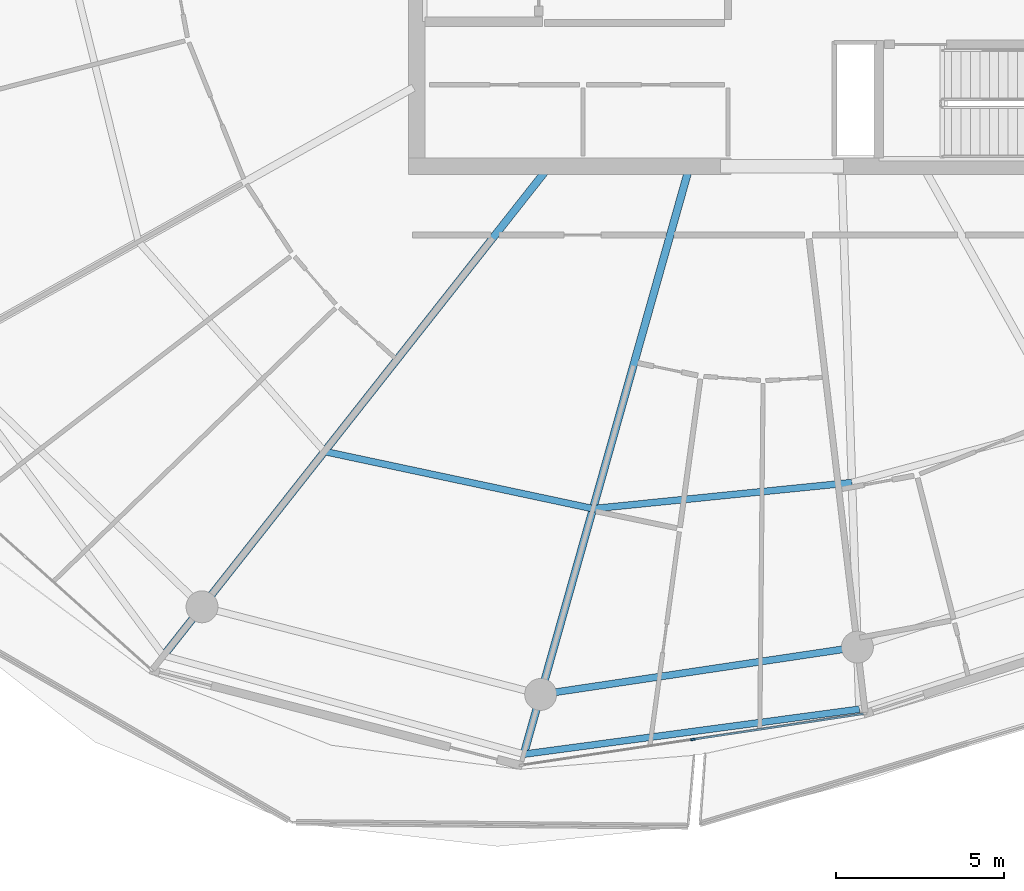
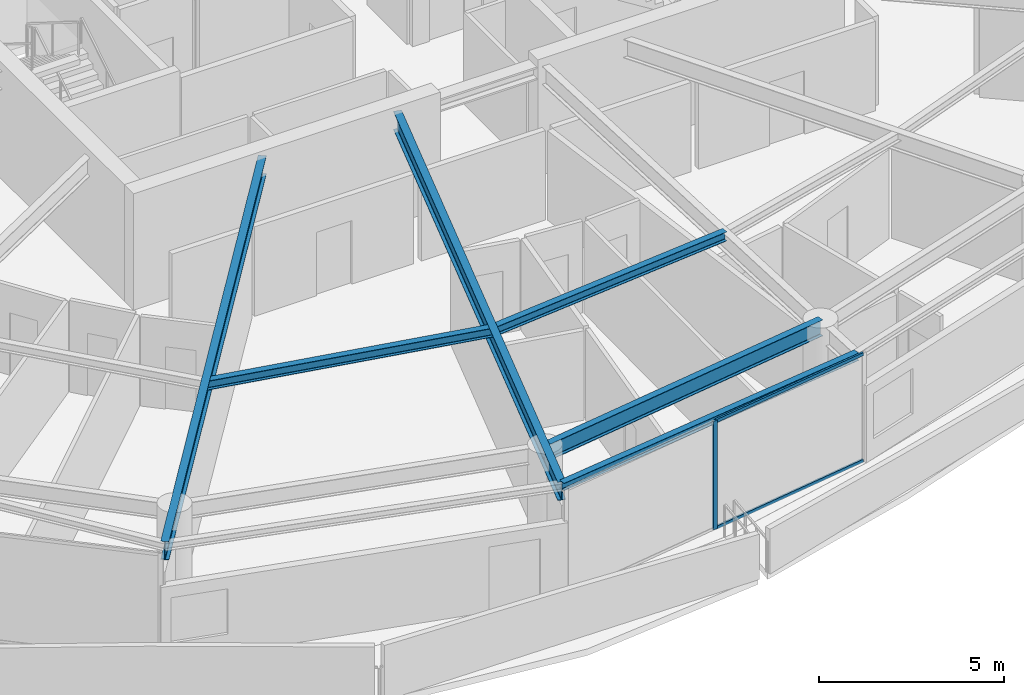
# One storey, part 7 of 31: 6 beams, 3 members, 1 element without a shape of its own.
"""IFC4 building model written with IfcOpenShell, lengths in metres."""

from ifc_helpers import new_model, si_unit, direction, frame, origin, origin_2d, place, context, subcontext, project, spatial, rectangle, i_section, extrude, material, layer, layer_set, material_profile, profile_set, type_object, element, aggregate, save


model = new_model("IFC4")

# Units and contexts
model_context = context("Model", 3, precision=1e-05, world=origin(), true_north=direction((0.0, 1.0)))
body_context = subcontext(model_context, "Body", "Model", "MODEL_VIEW")
ifc_project = project(units=[si_unit("LENGTHUNIT", "METRE"), si_unit("AREAUNIT", "SQUARE_METRE"), si_unit("VOLUMEUNIT", "CUBIC_METRE"), si_unit("PLANEANGLEUNIT", "RADIAN"), si_unit("MASSUNIT", "GRAM", prefix="KILO")], contexts=[model_context])

# Site, building, storey
site_placement = place(None, origin())
site = spatial("IfcSite", under=ifc_project, at=site_placement, CompositionType="ELEMENT")
building_placement = place(site_placement, origin())
building = spatial("IfcBuilding", under=site, at=building_placement, Name="Kazma Halo Residences", CompositionType="ELEMENT")
storey_placement = place(building_placement, frame((0.0, 0.0, 275.199951171875)))
storey = spatial("IfcBuildingStorey", under=building, at=storey_placement, Name="L69", CompositionType="ELEMENT", Elevation=275.199951171875)

# Beams
ifc_material_1 = material(Name="Steel S355", Category="steel")
ifc_material_profile_1 = material_profile(ifc_material_1, i_section(OverallWidth=0.201904296875, OverallDepth=0.2470703125, WebThickness=0.00732421875, FlangeThickness=0.010986328125, FilletRadius=0.011962890625, at=origin_2d()), Name="W250x49.1")
ifc_profile_set_1 = profile_set([ifc_material_profile_1], Name="Steel S355")
beam_type_1 = type_object("IfcBeamType", Name="BM-BAL-CANT", PredefinedType="BEAM", material=ifc_profile_set_1)
beam_1_placement = place(storey_placement, frame((40.73486328125, 16.239990234375, 3.466552734375), z_axis=(0.991136135569, 0.132850144029, 0.0), x_axis=(-0.132850144029, 0.991136135569, 0.0)))
element("IfcBeam", 1, at=beam_1_placement, inside=storey, type_object=beam_type_1, Name="L69 wave-balcony tie beam 11", PredefinedType="BEAM", context=body_context, shape_type="SweptSolid", body=[
    extrude(i_section(OverallWidth=0.201904296875, OverallDepth=0.2470703125, WebThickness=0.00732421875, FlangeThickness=0.010986328125, FilletRadius=0.011962890625, at=origin_2d()), origin(), (0.0, 0.0, 1.0), 10.087158203125),
])
ifc_material_profile_2 = material_profile(ifc_material_1, i_section(OverallWidth=0.22802734375, OverallDepth=0.60791015625, WebThickness=0.01123046875, FlangeThickness=0.017333984375, FilletRadius=0.01806640625, at=origin_2d()), Name="W610x113")
ifc_profile_set_2 = profile_set([ifc_material_profile_2], Name="Steel S355")
beam_type_2 = type_object("IfcBeamType", Name="BM-RAD-W610", PredefinedType="BEAM", material=ifc_profile_set_2)
beam_2_placement = place(storey_placement, frame((41.41748046875, 33.64990234375, 3.2861328125), z_axis=(-0.619094367176, -0.785316601461, 0.0), x_axis=(0.785316601461, -0.619094367176, 0.0)))
element("IfcBeam", 2, at=beam_2_placement, inside=storey, type_object=beam_type_2, Name="L69 radial floor beam 10", PredefinedType="BEAM", context=body_context, shape_type="SweptSolid", body=[
    extrude(i_section(OverallWidth=0.22802734375, OverallDepth=0.60791015625, WebThickness=0.01123046875, FlangeThickness=0.017333984375, FilletRadius=0.01806640625, at=origin_2d()), origin(), (0.0, 0.0, 1.0), 18.429931640625),
])
beam_3_placement = place(storey_placement, frame((45.64501953125, 33.64990234375, 3.2861328125), z_axis=(-0.271443175073, -0.962454467861, 0.0), x_axis=(0.962454467861, -0.271443175073, 0.0)))
element("IfcBeam", 3, at=beam_3_placement, inside=storey, type_object=beam_type_2, Name="L69 radial floor beam 11", PredefinedType="BEAM", context=body_context, shape_type="SweptSolid", body=[
    extrude(i_section(OverallWidth=0.22802734375, OverallDepth=0.60791015625, WebThickness=0.01123046875, FlangeThickness=0.017333984375, FilletRadius=0.01806640625, at=origin_2d()), origin(), (0.0, 0.0, 1.0), 18.089111328125),
])
ifc_material_profile_3 = material_profile(ifc_material_1, i_section(OverallWidth=0.202880859375, OverallDepth=0.302978515625, WebThickness=0.007568359375, FlangeThickness=0.01318359375, FilletRadius=0.013916015625, at=origin_2d()), Name="W310x60")
ifc_profile_set_3 = profile_set([ifc_material_profile_3], Name="Steel S355")
beam_type_3 = type_object("IfcBeamType", Name="BM-SEC-W310A", PredefinedType="JOIST", material=ifc_profile_set_3)
beam_4_placement = place(storey_placement, frame((34.7998046875, 25.25537109375, 3.4384765625), z_axis=(0.97806685939, -0.208291186956, 0.0), x_axis=(0.208291186956, 0.97806685939, 0.0)))
element("IfcBeam", 4, at=beam_4_placement, inside=storey, type_object=beam_type_3, Name="L69 circumferential floor joist 10", PredefinedType="JOIST", context=body_context, shape_type="SweptSolid", body=[
    extrude(i_section(OverallWidth=0.202880859375, OverallDepth=0.302978515625, WebThickness=0.007568359375, FlangeThickness=0.01318359375, FilletRadius=0.013916015625, at=origin_2d()), origin(), (0.0, 0.0, 1.0), 8.1767578125),
])
beam_5_placement = place(storey_placement, frame((42.797119140625, 23.55224609375, 3.4384765625), z_axis=(0.994958290831, 0.100289578258, 0.0), x_axis=(-0.100289578258, 0.994958290831, 0.0)))
element("IfcBeam", 5, at=beam_5_placement, inside=storey, type_object=beam_type_3, Name="L69 circumferential floor joist 11", PredefinedType="JOIST", context=body_context, shape_type="SweptSolid", body=[
    extrude(i_section(OverallWidth=0.202880859375, OverallDepth=0.302978515625, WebThickness=0.007568359375, FlangeThickness=0.01318359375, FilletRadius=0.013916015625, at=origin_2d()), origin(), (0.0, 0.0, 1.0), 7.7509765625),
])
ifc_material_profile_4 = material_profile(ifc_material_1, i_section(OverallWidth=0.208984375, OverallDepth=0.532958984375, WebThickness=0.01025390625, FlangeThickness=0.015625, FilletRadius=0.01611328125, at=origin_2d()), Name="W530x92")
ifc_profile_set_4 = profile_set([ifc_material_profile_4], Name="Steel S355")
beam_type_4 = type_object("IfcBeamType", Name="BM-SPN-W530", PredefinedType="BEAM", material=ifc_profile_set_4)
beam_6_placement = place(storey_placement, frame((41.237060546875, 18.0205078125, 3.323486328125), z_axis=(0.989035441627, 0.147678350495, 0.0), x_axis=(-0.147678350495, 0.989035441627, 0.0)))
element("IfcBeam", 6, at=beam_6_placement, inside=storey, type_object=beam_type_4, Name="L69 perimeter ring beam 11", PredefinedType="BEAM", context=body_context, shape_type="SweptSolid", body=[
    extrude(i_section(OverallWidth=0.208984375, OverallDepth=0.532958984375, WebThickness=0.01025390625, FlangeThickness=0.015625, FilletRadius=0.01611328125, at=origin_2d()), origin(), (0.0, 0.0, 1.0), 9.538818359375),
])

# Curtain wall, members
ifc_material_2 = material(Name="Aluminium AW-6063 T6 and Triple-Silver Low-E Glass", Category="aluminium")
ifc_layer = layer(ifc_material_2, 0.139892578125)
ifc_layer_set = layer_set([ifc_layer], Name="Aluminium AW-6063 T6 and Triple-Silver Low-E Glass")
curtain_wall_type = type_object("IfcCurtainWallType", Name="CW-SYS-5", PredefinedType="NOTDEFINED", material=ifc_layer_set)
curtain_wall_placement = place(storey_placement, origin())
curtain_wall = element("IfcCurtainWall", 7, at=curtain_wall_placement, inside=storey, type_object=curtain_wall_type, Name="L69 unitised curtain wall B11", PredefinedType="NOTDEFINED")
ifc_material_3 = material(Name="Aluminium AW-6063 T6", Category="aluminium")
ifc_material_profile_5 = material_profile(ifc_material_3, rectangle(XDim=0.06005859375, YDim=0.139892578125, at=origin_2d()), Name="CWM-60x140")
ifc_profile_set_5 = profile_set([ifc_material_profile_5], Name="Aluminium AW-6063 T6")
member_type_1 = type_object("IfcMemberType", Name="CW-SYS-5-MUL", PredefinedType="MULLION", material=ifc_profile_set_5)
member_1_placement = place(storey_placement, frame((45.7734375, 16.679931640625, 0.0), z_axis=(0.0, 0.0, 1.0), x_axis=(-0.148697080374, 0.988882792998, 0.0)))
member_1 = element("IfcMember", 8, at=member_1_placement, type_object=member_type_1, Name="CWS-5 mullion 2", PredefinedType="MULLION", context=body_context, shape_type="SweptSolid", body=[
    extrude(rectangle(XDim=0.06005859375, YDim=0.139892578125, at=origin_2d()), origin(), (0.0, 0.0, 1.0), 3.590087890625),
])
ifc_material_profile_6 = material_profile(ifc_material_3, rectangle(XDim=0.06005859375, YDim=0.10498046875, at=origin_2d()), Name="CWT-60x105")
ifc_profile_set_6 = profile_set([ifc_material_profile_6], Name="Aluminium AW-6063 T6")
member_type_2 = type_object("IfcMemberType", Name="CW-SYS-5-TRN", PredefinedType="USERDEFINED", material=ifc_profile_set_6)
member_2_placement = place(storey_placement, frame((45.80322265625, 16.6845703125, 0.030029296875), z_axis=(0.988882913569, 0.148696278541, 0.0), x_axis=(-0.148696278541, 0.988882913569, 0.0)))
member_2 = element("IfcMember", 9, at=member_2_placement, type_object=member_type_2, Name="CWS-5 transom 2.1", ObjectType="TRANSOM", PredefinedType="USERDEFINED", context=body_context, shape_type="SweptSolid", body=[
    extrude(rectangle(XDim=0.06005859375, YDim=0.10498046875, at=origin_2d()), origin(), (0.0, 0.0, 1.0), 5.099609375),
])
member_3_placement = place(storey_placement, frame((45.80322265625, 16.6845703125, 3.56005859375), z_axis=(0.988882913569, 0.148696278541, 0.0), x_axis=(-0.148696278541, 0.988882913569, 0.0)))
member_3 = element("IfcMember", 10, at=member_3_placement, type_object=member_type_2, Name="CWS-5 transom 2.2", ObjectType="TRANSOM", PredefinedType="USERDEFINED", context=body_context, shape_type="SweptSolid", body=[
    extrude(rectangle(XDim=0.06005859375, YDim=0.10498046875, at=origin_2d()), origin(), (0.0, 0.0, 1.0), 5.099609375),
])
aggregate(curtain_wall, [member_1, member_2, member_3])

save(model, "model.ifc")
